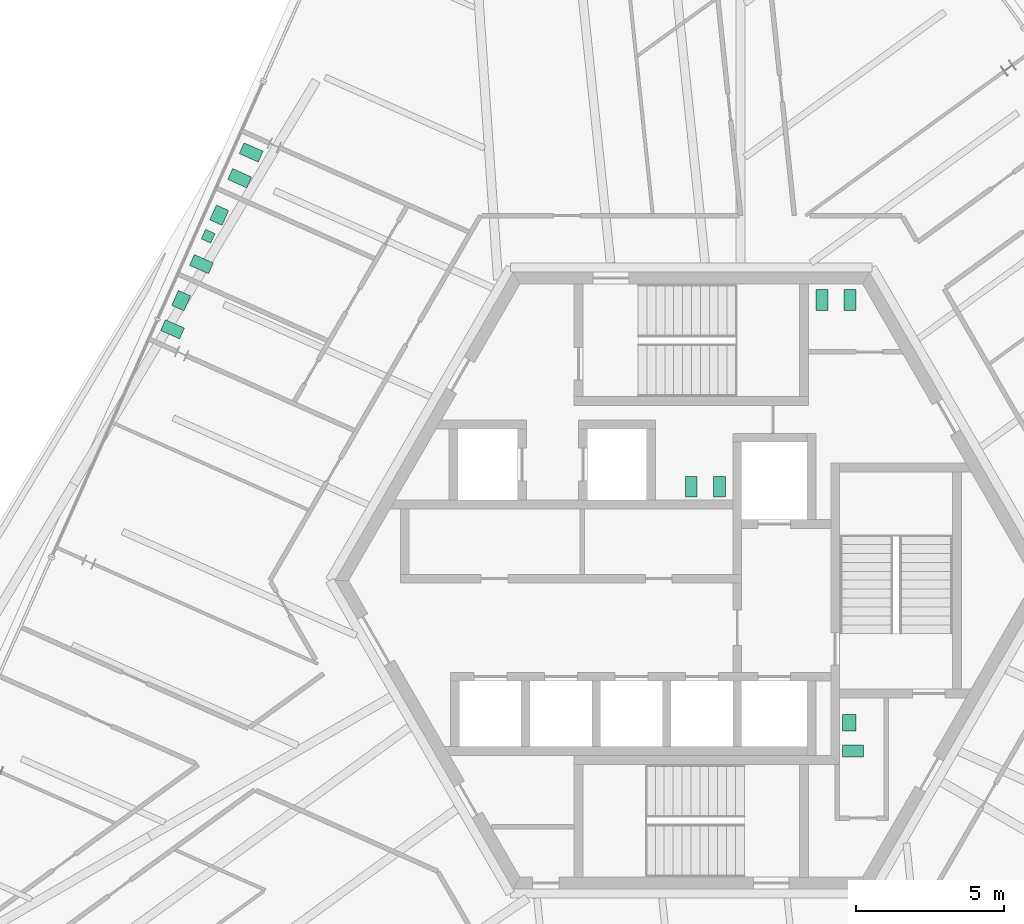
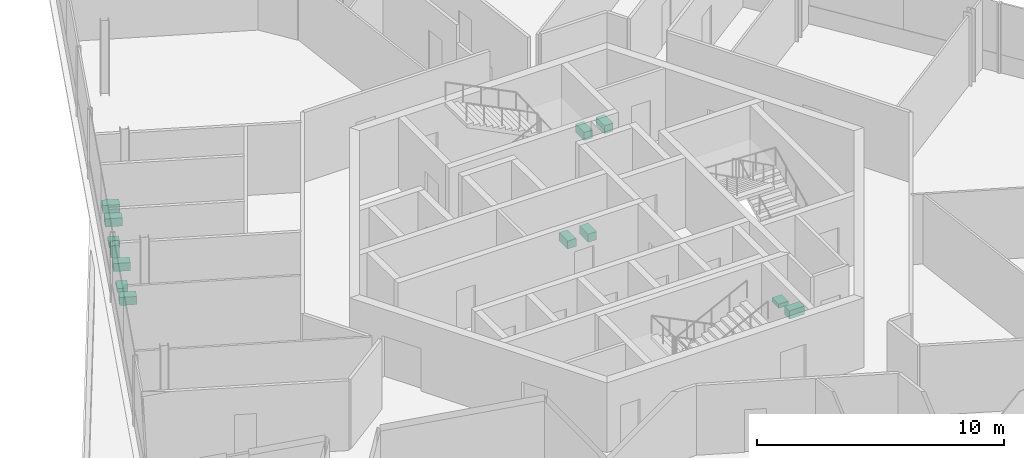
# One storey, part 21 of 21: 13 sanitary terminals.
"""IFC4 building model written with IfcOpenShell, lengths in metres."""

from ifc_helpers import new_model, si_unit, direction, frame, origin, origin_2d, place, context, subcontext, project, spatial, rectangle, extrude, source, transform, mapped, material, element, save


model = new_model("IFC4")

# Units and contexts
model_context = context("Model", 3, precision=1e-05, world=origin(), true_north=direction((0.0, 1.0)))
body_context = subcontext(model_context, "Body", "Model", "MODEL_VIEW")
ifc_project = project(units=[si_unit("LENGTHUNIT", "METRE"), si_unit("AREAUNIT", "SQUARE_METRE"), si_unit("VOLUMEUNIT", "CUBIC_METRE"), si_unit("PLANEANGLEUNIT", "RADIAN"), si_unit("MASSUNIT", "GRAM", prefix="KILO")], contexts=[model_context])

# Site, building, storey
site_placement = place(None, origin())
site = spatial("IfcSite", under=ifc_project, at=site_placement, CompositionType="ELEMENT")
building_placement = place(site_placement, origin())
building = spatial("IfcBuilding", under=site, at=building_placement, Name="Triune Harvest Tower", CompositionType="ELEMENT")
storey_placement = place(building_placement, frame((0.0, 0.0, 219.699951171875)))
storey = spatial("IfcBuildingStorey", under=building, at=storey_placement, Name="L57", CompositionType="ELEMENT", Elevation=219.699951171875)

# Sanitary terminals
ifc_material = material(Name="Vitreous china")
shared_shape_1 = source(origin(), body_context, "Body", "SweptSolid", [
    extrude(rectangle(XDim=0.39990234375, YDim=0.699951171875, at=origin_2d()), origin(), (0.0, 0.0, 1.0), 0.39990234375),
])
for number, where, z_axis, x_axis, name in (
    (1, (4.39990234375, 9.449951171875, 0.0), (0.0, 0.0, 1.0), (1.0, 0.0, 0.0), "Toilet pan L57.c01"),
    (2, (5.35009765625, 9.449951171875, 0.0), (0.0, 0.0, 1.0), (1.0, 0.0, 0.0), "Toilet pan L57.c02"),
    (3, (0.949951171875, 3.159912109375, 0.0), (0.0, 0.0, 1.0), (-1.0, 0.0, 0.0), "Toilet pan L57.c03"),
    (4, (0.0, 3.159912109375, 0.0), (0.0, 0.0, 1.0), (-1.0, 0.0, 0.0), "Toilet pan L57.c04"),
    (5, (5.449951171875, -5.739990234375, 0.0), (0.0, 0.0, 1.0), (0.0, 1.0, 0.0), "Toilet pan L57.c05"),
    (6, (-15.207275390625, 13.54931640625, 0.0), (0.0, 0.0, 1.0), (0.406736643076, 0.913545457643, 0.0), "Toilet pan 01"),
    (7, (-14.82080078125, 14.417236328125, 0.0), (0.0, 0.0, 1.0), (0.406736643076, 0.913545457643, 0.0), "Toilet pan 02"),
    (8, (-16.49560546875, 10.65576171875, 0.0), (0.0, 0.0, 1.0), (0.406736643076, 0.913545457643, 0.0), "Toilet pan 03"),
    (9, (-17.4716796875, 8.463134765625, 0.0), (0.0, 0.0, 1.0), (0.40675258739, 0.91353835861, 0.0), "Toilet pan 06"),
):
    element("IfcSanitaryTerminal", number, at=place(storey_placement, frame(where, z_axis=z_axis, x_axis=x_axis)), inside=storey, material=ifc_material, Name=name, PredefinedType="TOILETPAN", context=body_context, shape_type="MappedRepresentation", body=[
        mapped(shared_shape_1, transform((0.0, 0.0, 0.0), scale=1.0)),
    ])
shared_shape_2 = source(origin(), body_context, "Body", "SweptSolid", [
    extrude(rectangle(XDim=0.35009765625, YDim=0.35009765625, at=origin_2d()), origin(), (0.0, 0.0, 1.0), 0.60009765625),
])
sanitary_terminal_placement = place(storey_placement, frame((-16.26904296875, 11.5947265625, 0.0), z_axis=(0.0, 0.0, 1.0), x_axis=(0.406736643076, 0.913545457643, 0.0)))
element("IfcSanitaryTerminal", 10, at=sanitary_terminal_placement, inside=storey, material=ifc_material, Name="Urinal 04", PredefinedType="URINAL", context=body_context, shape_type="MappedRepresentation", body=[
    mapped(shared_shape_2, transform((0.0, 0.0, 0.0), scale=1.0)),
])
shared_shape_3 = source(origin(), body_context, "Body", "SweptSolid", [
    extrude(rectangle(XDim=0.550048828125, YDim=0.449951171875, at=origin_2d()), origin(), (0.0, 0.0, 1.0), 0.199951171875),
])
for number, where, z_axis, x_axis, name in (
    (11, (5.324951171875, -4.7900390625, 0.0), (0.0, 0.0, 1.0), (0.0, 1.0, 0.0), "Wash basin L57.c06"),
    (12, (-15.89794921875, 12.30517578125, 0.0), (0.0, 0.0, 1.0), (0.406736643076, 0.913545457643, 0.0), "Wash basin 05"),
    (13, (-17.17919921875, 9.427490234375, 0.0), (0.0, 0.0, 1.0), (0.40675258739, 0.91353835861, 0.0), "Wash basin 07"),
):
    element("IfcSanitaryTerminal", number, at=place(storey_placement, frame(where, z_axis=z_axis, x_axis=x_axis)), inside=storey, material=ifc_material, Name=name, PredefinedType="WASHHANDBASIN", context=body_context, shape_type="MappedRepresentation", body=[
        mapped(shared_shape_3, transform((0.0, 0.0, 0.0), scale=1.0)),
    ])

save(model, "model.ifc")
